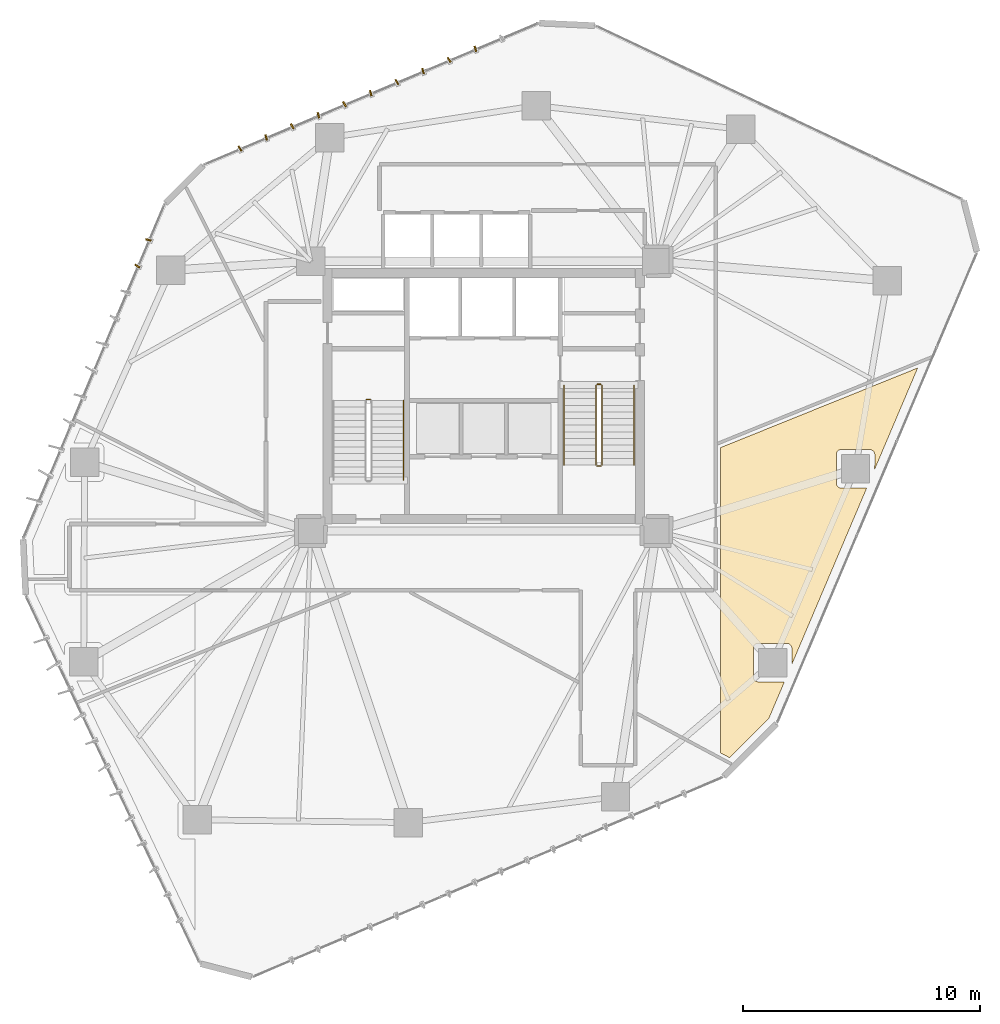
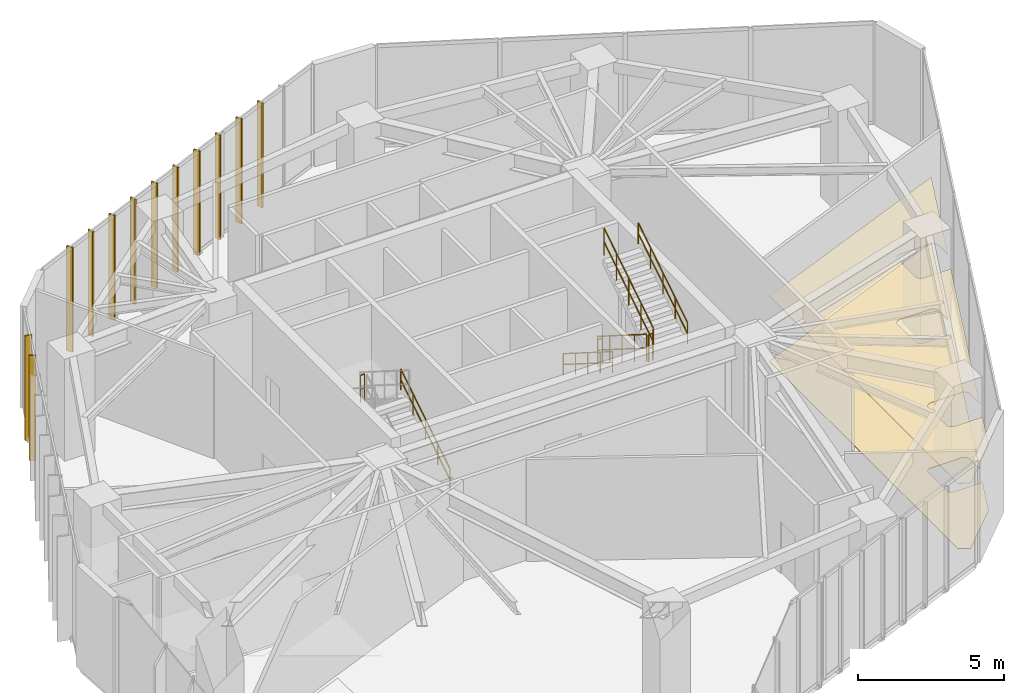
# One storey, part 26 of 28: 12 shading devices, 8 railings, 2 coverings.
"""IFC4 building model written with IfcOpenShell, lengths in metres."""

import ifcopenshell
import ifcopenshell.guid

model = None  # the IFC model being written
_history = None  # IfcOwnerHistory: only IFC2X3 demands one
_inside = {}  # id of a spatial element -> (the spatial element, [elements in it])
_under = {}  # id of a project, library or spatial element -> (it, [spatial elements below it])
_declared = {}  # id of a project -> (the project, [libraries it declares])
_typed = {}  # id of a type object -> (the type object, [elements of that type])
_made_of = {}  # id of a material, layer set ... -> (it, [elements and type objects made of it])


def new_model(schema):
    """Start an empty IFC model of exactly this schema.

    Asked for "IFC4X3", IfcOpenShell would pick the latest addendum, in which some entities
    have other attributes; the version numbers below select the first issue.
    IFC2X3 requires an IfcOwnerHistory on every rooted entity: one is made here for all.
    """
    global model, _history
    if schema == "IFC4X3":
        model = ifcopenshell.file(schema_version=(4, 3, 0, 0))
    else:
        model = ifcopenshell.file(schema=schema)
    _inside.clear()
    _under.clear()
    _declared.clear()
    _typed.clear()
    _made_of.clear()
    _history = None
    if model.schema == "IFC2X3":
        org = make("IfcOrganization", Name="unknown")
        user = make(
            "IfcPersonAndOrganization",
            ThePerson=make("IfcPerson", FamilyName="unknown"),
            TheOrganization=org,
        )
        app = make(
            "IfcApplication",
            ApplicationDeveloper=org,
            Version="unknown",
            ApplicationFullName="unknown",
            ApplicationIdentifier="unknown",
        )
        _history = make(
            "IfcOwnerHistory",
            OwningUser=user,
            OwningApplication=app,
            ChangeAction="ADDED",
            CreationDate=0,
        )
    return model


def make(cls, **values):
    """One entity of the class cls with the attributes given. An attribute that is None is left unset."""
    return model.create_entity(
        cls, **{name: value for name, value in values.items() if value is not None}
    )


def rooted(cls, **values):
    """An entity with a GlobalId (a new one), such as an element, a storey or a relation."""
    return make(cls, GlobalId=ifcopenshell.guid.new(), OwnerHistory=_history, **values)


def si_unit(unit_type, name, prefix=None):
    """IfcSIUnit, for example si_unit("LENGTHUNIT", "METRE", prefix="MILLI")."""
    return make("IfcSIUnit", UnitType=unit_type, Prefix=prefix, Name=name)


def assignment(units):
    """IfcUnitAssignment: the units of a project."""
    return None if units is None else make("IfcUnitAssignment", Units=units)


def point(xyz):
    """IfcCartesianPoint."""
    return None if xyz is None else make("IfcCartesianPoint", Coordinates=xyz)


def direction(xyz):
    """IfcDirection."""
    return None if xyz is None else make("IfcDirection", DirectionRatios=xyz)


def frame(location, z_axis=None, x_axis=None):
    """IfcAxis2Placement3D, a coordinate frame: its origin and axes. An axis left out is left unset."""
    return make(
        "IfcAxis2Placement3D",
        Location=point(location),
        Axis=direction(z_axis),
        RefDirection=direction(x_axis),
    )


def frame_2d(location, x_axis=None):
    """IfcAxis2Placement2D, a coordinate frame in the plane: its origin and x axis."""
    return make(
        "IfcAxis2Placement2D", Location=point(location), RefDirection=direction(x_axis)
    )


def origin():
    """The frame at (0, 0, 0) with its axes left unset."""
    return frame((0.0, 0.0, 0.0))


def origin_2d():
    """The frame at (0, 0) in the plane with its x axis left unset."""
    return frame_2d((0.0, 0.0))


def place(relative_to, where):
    """IfcLocalPlacement: puts the frame where relative to a parent placement (None: the world)."""
    return make(
        "IfcLocalPlacement", PlacementRelTo=relative_to, RelativePlacement=where
    )


def context(
    kind, dimensions, precision=None, world=None, true_north=None, identifier=None
):
    """IfcGeometricRepresentationContext, for example the 3D "Model" context."""
    return make(
        "IfcGeometricRepresentationContext",
        ContextIdentifier=identifier,
        ContextType=kind,
        CoordinateSpaceDimension=dimensions,
        Precision=precision,
        WorldCoordinateSystem=world,
        TrueNorth=true_north,
    )


def subcontext(parent, identifier, kind, view, scale=None):
    """IfcGeometricRepresentationSubContext, for example "Body" below "Model"."""
    return make(
        "IfcGeometricRepresentationSubContext",
        ContextIdentifier=identifier,
        ContextType=kind,
        ParentContext=parent,
        TargetScale=scale,
        TargetView=view,
    )


def project(units=None, contexts=None):
    """IfcProject with its units and contexts."""
    return rooted(
        "IfcProject",
        Name="project",
        RepresentationContexts=contexts,
        UnitsInContext=assignment(units),
    )


def spatial(cls, under=None, at=None, **own):
    """A site, building, storey or space (cls), placed at a placement, below another one or the project."""
    s = rooted(cls, ObjectPlacement=at, **own)
    if under is not None:
        _under.setdefault(under.id(), (under, []))[1].append(s)
    return s


def polyline(points):
    """IfcPolyline through the points."""
    return make("IfcPolyline", Points=[point(p) for p in points])


def profile(cls, at=None, kind="AREA", **sizes):
    """A parametric profile (cls). Its sizes go by their IFC names, for example OverallWidth=200.0."""
    return make(cls, ProfileType=kind, Position=at, **sizes)


def rectangle(**sizes):
    """IfcRectangleProfileDef."""
    return profile("IfcRectangleProfileDef", **sizes)


def circle(**sizes):
    """IfcCircleProfileDef."""
    return profile("IfcCircleProfileDef", **sizes)


def outline(outer, holes=None, kind="AREA"):
    """IfcArbitraryClosedProfileDef: a profile drawn as a closed curve; with holes, ...WithVoids."""
    if holes is None:
        return make("IfcArbitraryClosedProfileDef", ProfileType=kind, OuterCurve=outer)
    return make(
        "IfcArbitraryProfileDefWithVoids",
        ProfileType=kind,
        OuterCurve=outer,
        InnerCurves=holes,
    )


def extrude(swept, where, along, depth):
    """IfcExtrudedAreaSolid: the profile swept, set in the frame where, extruded along a direction by depth."""
    return make(
        "IfcExtrudedAreaSolid",
        SweptArea=swept,
        Position=where,
        ExtrudedDirection=direction(along),
        Depth=depth,
    )


def shape(context_of_items, identifier, shape_type, items):
    """IfcShapeRepresentation: the items that make up one representation, for example the "Body"."""
    return make(
        "IfcShapeRepresentation",
        ContextOfItems=context_of_items,
        RepresentationIdentifier=identifier,
        RepresentationType=shape_type,
        Items=items,
    )


def source(mapping_origin, context_of_items, identifier, shape_type, items):
    """IfcRepresentationMap: a shape defined once, which mapped items show again and again."""
    return make(
        "IfcRepresentationMap",
        MappingOrigin=mapping_origin,
        MappedRepresentation=shape(context_of_items, identifier, shape_type, items),
    )


def transform(
    local_origin,
    x_axis=None,
    y_axis=None,
    z_axis=None,
    scale=None,
    scale2=None,
    scale3=None,
    uniform=True,
):
    """IfcCartesianTransformationOperator3D, or its non-uniform kind. x_axis, y_axis, z_axis: its Axis1, 2, 3."""
    if uniform:
        return make(
            "IfcCartesianTransformationOperator3D",
            Axis1=direction(x_axis),
            Axis2=direction(y_axis),
            LocalOrigin=point(local_origin),
            Scale=scale,
            Axis3=direction(z_axis),
        )
    return make(
        "IfcCartesianTransformationOperator3DnonUniform",
        Axis1=direction(x_axis),
        Axis2=direction(y_axis),
        LocalOrigin=point(local_origin),
        Scale=scale,
        Axis3=direction(z_axis),
        Scale2=scale2,
        Scale3=scale3,
    )


def mapped(mapping_source, mapping_target):
    """IfcMappedItem: shows the shape of a source again, moved by a transform."""
    return make(
        "IfcMappedItem", MappingSource=mapping_source, MappingTarget=mapping_target
    )


def material(Name=None, Category=None):
    """IfcMaterial."""
    return make("IfcMaterial", Name=Name, Category=Category)


def layer(
    of_material, thickness, ventilated=None, Name=None, Category=None, Priority=None
):
    """IfcMaterialLayer: one layer of a wall or slab, of a material (None: an air gap)."""
    return make(
        "IfcMaterialLayer",
        Material=of_material,
        LayerThickness=thickness,
        IsVentilated=ventilated,
        Name=Name,
        Category=Category,
        Priority=Priority,
    )


def layer_set(layers, Name=None):
    """IfcMaterialLayerSet."""
    return make("IfcMaterialLayerSet", MaterialLayers=layers, LayerSetName=Name)


def made_of(thing, what):
    """Note that an element or type object is made of a material, layer set ...; save() writes the relation."""
    if what is not None:
        _made_of.setdefault(what.id(), (what, []))[1].append(thing)
    return thing


def type_object(cls, material=None, **own):
    """A type object (cls), such as IfcWallType, which elements share."""
    return made_of(rooted(cls, **own), material)


def type_shapes(of_type, sources):
    """Give a type object the sources (RepresentationMaps) that its elements show as mapped items."""
    of_type.RepresentationMaps = sources


def element(
    cls,
    number,
    at=None,
    inside=None,
    cuts=None,
    type_object=None,
    material=None,
    context=None,
    identifier="Body",
    shape_type=None,
    held_by="IfcProductDefinitionShape",
    body=None,
    shapes=None,
    **own,
):
    """One element of the class cls, such as IfcWall. Its Tag is "e" and its number.

    at: its placement. inside: the storey or other place that contains it. cuts: it is an
    opening in that element (IfcRelVoidsElement). A single representation is given by context,
    identifier, shape_type and body (its items); several are given by shapes. held_by: the class
    of the entity that holds the representations. save() writes the other relations.
    """
    e = rooted(cls, Tag="e%d" % number, ObjectPlacement=at, **own)
    if body is not None:
        shapes = [shape(context, identifier, shape_type, body)]
    if shapes is not None:
        e.Representation = make(held_by, Representations=shapes)
    if inside is not None:
        _inside.setdefault(inside.id(), (inside, []))[1].append(e)
    if cuts is not None:
        rooted(
            "IfcRelVoidsElement", RelatingBuildingElement=cuts, RelatedOpeningElement=e
        )
    if type_object is not None:
        _typed.setdefault(type_object.id(), (type_object, []))[1].append(e)
    return made_of(e, material)


def aggregate(whole, parts):
    """IfcRelAggregates: a whole, such as a stair, and the parts it consists of."""
    return rooted("IfcRelAggregates", RelatingObject=whole, RelatedObjects=parts)


def save(model, path):
    """Write the relations noted so far, then the file.

    IfcRelAggregates (storeys below a building ...), IfcRelContainedInSpatialStructure (elements
    in a storey), IfcRelDefinesByType, IfcRelAssociatesMaterial and IfcRelDeclares: one each for
    every whole, place, type object, material and project.
    """
    for whole, parts in _under.values():
        aggregate(whole, parts)
    for where, things in _inside.values():
        rooted(
            "IfcRelContainedInSpatialStructure",
            RelatedElements=things,
            RelatingStructure=where,
        )
    for kind, things in _typed.values():
        rooted("IfcRelDefinesByType", RelatedObjects=things, RelatingType=kind)
    for what, things in _made_of.values():
        rooted("IfcRelAssociatesMaterial", RelatedObjects=things, RelatingMaterial=what)
    for by, libraries in _declared.values():
        rooted("IfcRelDeclares", RelatingContext=by, RelatedDefinitions=libraries)
    model.write(path)


model = new_model("IFC4")

# Units and contexts
model_context = context("Model", 3, precision=1e-05, world=origin(), true_north=direction((0.0, 1.0)))
body_context = subcontext(model_context, "Body", "Model", "MODEL_VIEW")
ifc_project = project(units=[si_unit("LENGTHUNIT", "METRE"), si_unit("AREAUNIT", "SQUARE_METRE"), si_unit("VOLUMEUNIT", "CUBIC_METRE"), si_unit("PLANEANGLEUNIT", "RADIAN"), si_unit("MASSUNIT", "GRAM", prefix="KILO")], contexts=[model_context])

# Site, building, storey
site_placement = place(None, origin())
site = spatial("IfcSite", under=ifc_project, at=site_placement, CompositionType="ELEMENT")
building_placement = place(site_placement, origin())
building = spatial("IfcBuilding", under=site, at=building_placement, Name="Talar Marvaseh", CompositionType="ELEMENT")
storey_placement = place(building_placement, frame((0.0, 0.0, 157.800048828125)))
storey = spatial("IfcBuildingStorey", under=building, at=storey_placement, Name="L41", CompositionType="ELEMENT", Elevation=157.800048828125)

# Railings
ifc_material_1 = material(Name="Stainless Steel Grade 316", Category="steel")
railing_type_1 = type_object("IfcRailingType", Name="Brushed Stainless Wall Pitch Handrail 900", PredefinedType="HANDRAIL", material=ifc_material_1)
railing_1_placement = place(storey_placement, frame((22.610107421875, 27.64990234375, 0.1767578125)))
element("IfcRailing", 1, at=railing_1_placement, inside=storey, type_object=railing_type_1, Name="L41 ST-1 stair handrail 1", PredefinedType="HANDRAIL", context=body_context, shape_type="SweptSolid", body=[
    extrude(circle(Radius=0.02392578125, at=origin_2d()), frame((0.0, 0.0, 0.8759765625), z_axis=(0.0, 0.845361898145, 0.534194029511), x_axis=(-1.0, 0.0, 0.0)), (0.0, 0.0, 1.0), 3.974853515625),
    extrude(circle(Radius=0.02392578125, at=origin_2d()), frame((0.0, 0.0, 0.42578125), z_axis=(0.0, 0.845361898145, 0.534194029511), x_axis=(-1.0, 0.0, 0.0)), (0.0, 0.0, 1.0), 3.974853515625),
    extrude(circle(Radius=0.02099609375, at=origin_2d()), origin(), (0.0, 0.0, 1.0), 0.851806640625),
    extrude(circle(Radius=0.02099609375, at=origin_2d()), frame((0.0, 0.840087890625, 0.53076171875)), (0.0, 0.0, 1.0), 0.851806640625),
    extrude(circle(Radius=0.02099609375, at=origin_2d()), frame((0.0, 1.68017578125, 1.0615234375)), (0.0, 0.0, 1.0), 0.851806640625),
    extrude(circle(Radius=0.02099609375, at=origin_2d()), frame((0.0, 2.52001953125, 1.592529296875)), (0.0, 0.0, 1.0), 0.851806640625),
    extrude(circle(Radius=0.02099609375, at=origin_2d()), frame((0.0, 3.360107421875, 2.123291015625)), (0.0, 0.0, 1.0), 0.851806640625),
])
railing_2_placement = place(storey_placement, frame((29.389892578125, 31.64990234375, 0.1767578125)))
element("IfcRailing", 2, at=railing_2_placement, inside=storey, type_object=railing_type_1, Name="L41 ST-2 stair handrail 1", PredefinedType="HANDRAIL", context=body_context, shape_type="SweptSolid", body=[
    extrude(circle(Radius=0.02392578125, at=origin_2d()), frame((0.0, 0.0, 0.8759765625), z_axis=(0.0, -0.845344368971, 0.534221768416), x_axis=(1.0, 0.0, 0.0)), (0.0, 0.0, 1.0), 3.974609375),
    extrude(circle(Radius=0.02392578125, at=origin_2d()), frame((0.0, 0.0, 0.42578125), z_axis=(0.0, -0.845344368971, 0.534221768416), x_axis=(1.0, 0.0, 0.0)), (0.0, 0.0, 1.0), 3.974609375),
    extrude(circle(Radius=0.02099609375, at=origin_2d()), origin(), (0.0, 0.0, 1.0), 0.851806640625),
    extrude(circle(Radius=0.02099609375, at=origin_2d()), frame((0.0, -0.83984375, 0.53076171875)), (0.0, 0.0, 1.0), 0.851806640625),
    extrude(circle(Radius=0.02099609375, at=origin_2d()), frame((0.0, -1.679931640625, 1.0615234375)), (0.0, 0.0, 1.0), 0.851806640625),
    extrude(circle(Radius=0.02099609375, at=origin_2d()), frame((0.0, -2.52001953125, 1.592529296875)), (0.0, 0.0, 1.0), 0.851806640625),
    extrude(circle(Radius=0.02099609375, at=origin_2d()), frame((0.0, -3.35986328125, 2.123291015625)), (0.0, 0.0, 1.0), 0.851806640625),
])
railing_3_placement = place(storey_placement, frame((32.35009765625, 28.2900390625, 2.476806640625)))
element("IfcRailing", 3, at=railing_3_placement, inside=storey, type_object=railing_type_1, Name="L41 ST-2 stair handrail 2", PredefinedType="HANDRAIL", context=body_context, shape_type="SweptSolid", body=[
    extrude(circle(Radius=0.02392578125, at=origin_2d()), frame((0.0, 0.0, 0.8759765625), z_axis=(0.0, 0.845372108799, 0.534177870812), x_axis=(-1.0, 0.0, 0.0)), (0.0, 0.0, 1.0), 3.974365234375),
    extrude(circle(Radius=0.02392578125, at=origin_2d()), frame((0.0, 0.0, 0.42578125), z_axis=(0.0, 0.845372108799, 0.534177870812), x_axis=(-1.0, 0.0, 0.0)), (0.0, 0.0, 1.0), 3.974365234375),
    extrude(circle(Radius=0.02099609375, at=origin_2d()), origin(), (0.0, 0.0, 1.0), 0.851806640625),
    extrude(circle(Radius=0.02099609375, at=origin_2d()), frame((0.0, 0.83984375, 0.53076171875)), (0.0, 0.0, 1.0), 0.851806640625),
    extrude(circle(Radius=0.02099609375, at=origin_2d()), frame((0.0, 1.679931640625, 1.0615234375)), (0.0, 0.0, 1.0), 0.851806640625),
    extrude(circle(Radius=0.02099609375, at=origin_2d()), frame((0.0, 2.52001953125, 1.59228515625)), (0.0, 0.0, 1.0), 0.851806640625),
    extrude(circle(Radius=0.02099609375, at=origin_2d()), frame((0.0, 3.35986328125, 2.123046875)), (0.0, 0.0, 1.0), 0.851806640625),
])
railing_type_2 = type_object("IfcRailingType", Name="Painted Steel Core Stair Well Guardrail 1150", PredefinedType="GUARDRAIL", material=ifc_material_1)
railing_4_placement = place(storey_placement, frame((21.2099609375, 31.06005859375, 2.300048828125)))
element("IfcRailing", 4, at=railing_4_placement, inside=storey, type_object=railing_type_2, Name="L41 ST-1 stair guard 2", PredefinedType="GUARDRAIL", context=body_context, shape_type="SweptSolid", body=[
    extrude(circle(Radius=0.02392578125, at=origin_2d()), frame((0.0, 0.0, 1.1259765625), z_axis=(-1.0, 0.0, 0.0), x_axis=(0.0, -1.0, 0.0)), (0.0, 0.0, 1.0), 0.159912109375),
    extrude(circle(Radius=0.02392578125, at=origin_2d()), frame((0.0, 0.0, 0.55078125), z_axis=(-1.0, 0.0, 0.0), x_axis=(0.0, -1.0, 0.0)), (0.0, 0.0, 1.0), 0.159912109375),
    extrude(circle(Radius=0.02099609375, at=origin_2d()), origin(), (0.0, 0.0, 1.0), 1.101806640625),
    extrude(circle(Radius=0.02099609375, at=origin_2d()), frame((-0.159912109375, 0.0, 0.0)), (0.0, 0.0, 1.0), 1.101806640625),
])
railing_5_placement = place(storey_placement, frame((30.739990234375, 31.64990234375, 0.1767578125)))
element("IfcRailing", 5, at=railing_5_placement, inside=storey, type_object=railing_type_2, Name="L41 ST-2 stair guard 1", PredefinedType="GUARDRAIL", context=body_context, shape_type="SweptSolid", body=[
    extrude(circle(Radius=0.02392578125, at=origin_2d()), frame((0.0, 0.0, 1.1259765625), z_axis=(0.0, -0.845344368971, 0.534221768416), x_axis=(1.0, 0.0, 0.0)), (0.0, 0.0, 1.0), 3.974609375),
    extrude(circle(Radius=0.02392578125, at=origin_2d()), frame((0.0, 0.0, 0.55078125), z_axis=(0.0, -0.845344368971, 0.534221768416), x_axis=(1.0, 0.0, 0.0)), (0.0, 0.0, 1.0), 3.974609375),
    extrude(circle(Radius=0.02099609375, at=origin_2d()), origin(), (0.0, 0.0, 1.0), 1.101806640625),
    extrude(circle(Radius=0.02099609375, at=origin_2d()), frame((0.0, -0.83984375, 0.53076171875)), (0.0, 0.0, 1.0), 1.101806640625),
    extrude(circle(Radius=0.02099609375, at=origin_2d()), frame((0.0, -1.679931640625, 1.0615234375)), (0.0, 0.0, 1.0), 1.101806640625),
    extrude(circle(Radius=0.02099609375, at=origin_2d()), frame((0.0, -2.52001953125, 1.592529296875)), (0.0, 0.0, 1.0), 1.101806640625),
    extrude(circle(Radius=0.02099609375, at=origin_2d()), frame((0.0, -3.35986328125, 2.123291015625)), (0.0, 0.0, 1.0), 1.101806640625),
])
railing_6_placement = place(storey_placement, frame((30.7900390625, 28.239990234375, 2.300048828125)))
element("IfcRailing", 6, at=railing_6_placement, inside=storey, type_object=railing_type_2, Name="L41 ST-2 stair guard 2", PredefinedType="GUARDRAIL", context=body_context, shape_type="SweptSolid", body=[
    extrude(circle(Radius=0.02392578125, at=origin_2d()), frame((0.0, 0.0, 1.1259765625), z_axis=(1.0, 0.0, 0.0), x_axis=(0.0, 1.0, 0.0)), (0.0, 0.0, 1.0), 0.159912109375),
    extrude(circle(Radius=0.02392578125, at=origin_2d()), frame((0.0, 0.0, 0.55078125), z_axis=(1.0, 0.0, 0.0), x_axis=(0.0, 1.0, 0.0)), (0.0, 0.0, 1.0), 0.159912109375),
    extrude(circle(Radius=0.02099609375, at=origin_2d()), origin(), (0.0, 0.0, 1.0), 1.101806640625),
    extrude(circle(Radius=0.02099609375, at=origin_2d()), frame((0.159912109375, 0.0, 0.0)), (0.0, 0.0, 1.0), 1.101806640625),
])
railing_7_placement = place(storey_placement, frame((31.0, 28.2900390625, 2.476806640625)))
element("IfcRailing", 7, at=railing_7_placement, inside=storey, type_object=railing_type_2, Name="L41 ST-2 stair guard 3", PredefinedType="GUARDRAIL", context=body_context, shape_type="SweptSolid", body=[
    extrude(circle(Radius=0.02392578125, at=origin_2d()), frame((0.0, 0.0, 1.1259765625), z_axis=(0.0, 0.845372108799, 0.534177870812), x_axis=(-1.0, 0.0, 0.0)), (0.0, 0.0, 1.0), 3.974365234375),
    extrude(circle(Radius=0.02392578125, at=origin_2d()), frame((0.0, 0.0, 0.55078125), z_axis=(0.0, 0.845372108799, 0.534177870812), x_axis=(-1.0, 0.0, 0.0)), (0.0, 0.0, 1.0), 3.974365234375),
    extrude(circle(Radius=0.02099609375, at=origin_2d()), origin(), (0.0, 0.0, 1.0), 1.101806640625),
    extrude(circle(Radius=0.02099609375, at=origin_2d()), frame((0.0, 0.83984375, 0.53076171875)), (0.0, 0.0, 1.0), 1.101806640625),
    extrude(circle(Radius=0.02099609375, at=origin_2d()), frame((0.0, 1.679931640625, 1.0615234375)), (0.0, 0.0, 1.0), 1.101806640625),
    extrude(circle(Radius=0.02099609375, at=origin_2d()), frame((0.0, 2.52001953125, 1.59228515625)), (0.0, 0.0, 1.0), 1.101806640625),
    extrude(circle(Radius=0.02099609375, at=origin_2d()), frame((0.0, 3.35986328125, 2.123046875)), (0.0, 0.0, 1.0), 1.101806640625),
])
railing_8_placement = place(storey_placement, frame((30.7900390625, 31.699951171875, 0.0)))
element("IfcRailing", 8, at=railing_8_placement, inside=storey, type_object=railing_type_2, Name="L41 ST-2 stair guard 4", PredefinedType="GUARDRAIL", context=body_context, shape_type="SweptSolid", body=[
    extrude(circle(Radius=0.02392578125, at=origin_2d()), frame((0.0, 0.0, 1.1259765625), z_axis=(1.0, 0.0, 0.0), x_axis=(0.0, 1.0, 0.0)), (0.0, 0.0, 1.0), 0.159912109375),
    extrude(circle(Radius=0.02392578125, at=origin_2d()), frame((0.0, 0.0, 0.55078125), z_axis=(1.0, 0.0, 0.0), x_axis=(0.0, 1.0, 0.0)), (0.0, 0.0, 1.0), 0.159912109375),
    extrude(circle(Radius=0.02099609375, at=origin_2d()), origin(), (0.0, 0.0, 1.0), 1.101806640625),
    extrude(circle(Radius=0.02099609375, at=origin_2d()), frame((0.159912109375, 0.0, 0.0)), (0.0, 0.0, 1.0), 1.101806640625),
])

# Coverings
ifc_material_2 = material(Name="Mineral Fibre Acoustic Ceiling")
ifc_layer_1 = layer(ifc_material_2, 0.02490234375)
ifc_layer_set_1 = layer_set([ifc_layer_1], Name="Mineral Fibre Acoustic Ceiling")
covering_type_1 = type_object("IfcCoveringType", Name="Perforated Mineral Fibre Acoustic Suspended Ceiling", PredefinedType="CEILING", material=ifc_layer_set_1)
covering_1_placement = place(storey_placement, frame((0.0, 0.0, 2.719970703125)))
element("IfcCovering", 9, at=covering_1_placement, inside=storey, type_object=covering_type_1, Name="L41 Visitor Orientation Foyer Acoustic Ceiling", PredefinedType="CEILING", context=body_context, shape_type="SweptSolid", body=[
    extrude(outline(polyline([(36.0, 23.0), (36.0, 29.021484375), (44.336669921875, 32.3896484375), (42.521728515625, 28.11572265625), (42.52392578125, 28.728759765625), (42.523193359375, 28.747314453125), (42.5205078125, 28.765869140625), (42.516357421875, 28.783935546875), (42.510498046875, 28.801513671875), (42.5029296875, 28.818603515625), (42.493896484375, 28.8349609375), (42.4833984375, 28.850341796875), (42.471435546875, 28.864501953125), (42.458251953125, 28.877685546875), (42.443359375, 28.89111328125), (42.428955078125, 28.903076171875), (42.413818359375, 28.913330078125), (42.397705078125, 28.92236328125), (42.380615234375, 28.9296875), (42.363037109375, 28.935546875), (42.34521484375, 28.939697265625), (42.32666015625, 28.942138671875), (42.308349609375, 28.943115234375), (41.09765625, 28.938720703125), (41.078125, 28.9375), (41.058837890625, 28.9345703125), (41.039794921875, 28.9296875), (41.021484375, 28.923095703125), (41.003662109375, 28.914794921875), (40.98681640625, 28.904541015625), (40.97119140625, 28.892822265625), (40.956787109375, 28.8798828125), (40.943603515625, 28.865234375), (40.931884765625, 28.849609375), (40.921875, 28.832763671875), (40.91357421875, 28.81494140625), (40.906982421875, 28.79638671875), (40.902099609375, 28.777587890625), (40.8994140625, 28.75830078125), (40.8984375, 28.738525390625), (40.8984375, 27.517333984375), (40.8994140625, 27.497802734375), (40.902099609375, 27.478515625), (40.906982421875, 27.459228515625), (40.91357421875, 27.44091796875), (40.922119140625, 27.423095703125), (40.93212890625, 27.40625), (40.94384765625, 27.390380859375), (40.95703125, 27.3759765625), (40.971435546875, 27.36279296875), (40.9873046875, 27.35107421875), (41.004150390625, 27.341064453125), (41.02197265625, 27.33251953125), (41.040283203125, 27.325927734375), (41.059326171875, 27.3212890625), (41.078857421875, 27.318359375), (41.098388671875, 27.3173828125), (42.1826171875, 27.3173828125), (39.0185546875, 19.8662109375), (39.02099609375, 20.541748046875), (39.02001953125, 20.560302734375), (39.017578125, 20.578857421875), (39.01318359375, 20.596923828125), (39.00732421875, 20.614501953125), (39.0, 20.631591796875), (38.990966796875, 20.64794921875), (38.980224609375, 20.663330078125), (38.968505859375, 20.677490234375), (38.955078125, 20.690673828125), (38.940185546875, 20.7041015625), (38.926025390625, 20.716064453125), (38.91064453125, 20.726318359375), (38.89453125, 20.7353515625), (38.877685546875, 20.74267578125), (38.860107421875, 20.74853515625), (38.842041015625, 20.752685546875), (38.82373046875, 20.755126953125), (38.805419921875, 20.756103515625), (37.5947265625, 20.751708984375), (37.5751953125, 20.75048828125), (37.555908203125, 20.74755859375), (37.536865234375, 20.742919921875), (37.518310546875, 20.736083984375), (37.500732421875, 20.727783203125), (37.48388671875, 20.717529296875), (37.46826171875, 20.705810546875), (37.45361328125, 20.69287109375), (37.440673828125, 20.67822265625), (37.428955078125, 20.66259765625), (37.4189453125, 20.645751953125), (37.41064453125, 20.6279296875), (37.404052734375, 20.609619140625), (37.399169921875, 20.590576171875), (37.396484375, 20.5712890625), (37.3955078125, 20.551513671875), (37.3955078125, 19.330322265625), (37.396484375, 19.310791015625), (37.399169921875, 19.29150390625), (37.404052734375, 19.272216796875), (37.41064453125, 19.25390625), (37.4189453125, 19.236083984375), (37.42919921875, 19.21923828125), (37.44091796875, 19.20361328125), (37.4541015625, 19.18896484375), (37.468505859375, 19.17578125), (37.484375, 19.1640625), (37.501220703125, 19.154052734375), (37.518798828125, 19.1455078125), (37.537353515625, 19.138916015625), (37.556396484375, 19.13427734375), (37.57568359375, 19.13134765625), (37.595458984375, 19.13037109375), (38.7060546875, 19.13037109375), (38.050537109375, 17.5869140625), (36.386962890625, 15.92333984375), (36.0, 16.130615234375), (36.0, 23.0)])), origin(), (0.0, 0.0, 1.0), 0.02490234375),
])
ifc_material_3 = material(Name="Porcelain Stoneware Tile", Category="masonry")
ifc_layer_2 = layer(ifc_material_3, 0.02001953125)
ifc_layer_set_2 = layer_set([ifc_layer_2], Name="Porcelain Stoneware Tile")
covering_type_2 = type_object("IfcCoveringType", Name="Polished Porcelain Stoneware Gallery Flooring", PredefinedType="FLOORING", material=ifc_layer_set_2)
covering_2_placement = place(storey_placement, origin())
element("IfcCovering", 10, at=covering_2_placement, inside=storey, type_object=covering_type_2, Name="L41 Visitor Orientation Foyer Flooring", PredefinedType="FLOORING", context=body_context, shape_type="SweptSolid", body=[
    extrude(outline(polyline([(36.0, 23.0), (36.0, 29.021484375), (44.336669921875, 32.3896484375), (42.521728515625, 28.11572265625), (42.52392578125, 28.728759765625), (42.523193359375, 28.747314453125), (42.5205078125, 28.765869140625), (42.516357421875, 28.783935546875), (42.510498046875, 28.801513671875), (42.5029296875, 28.818603515625), (42.493896484375, 28.8349609375), (42.4833984375, 28.850341796875), (42.471435546875, 28.864501953125), (42.458251953125, 28.877685546875), (42.443359375, 28.89111328125), (42.428955078125, 28.903076171875), (42.413818359375, 28.913330078125), (42.397705078125, 28.92236328125), (42.380615234375, 28.9296875), (42.363037109375, 28.935546875), (42.34521484375, 28.939697265625), (42.32666015625, 28.942138671875), (42.308349609375, 28.943115234375), (41.09765625, 28.938720703125), (41.078125, 28.9375), (41.058837890625, 28.9345703125), (41.039794921875, 28.9296875), (41.021484375, 28.923095703125), (41.003662109375, 28.914794921875), (40.98681640625, 28.904541015625), (40.97119140625, 28.892822265625), (40.956787109375, 28.8798828125), (40.943603515625, 28.865234375), (40.931884765625, 28.849609375), (40.921875, 28.832763671875), (40.91357421875, 28.81494140625), (40.906982421875, 28.79638671875), (40.902099609375, 28.777587890625), (40.8994140625, 28.75830078125), (40.8984375, 28.738525390625), (40.8984375, 27.517333984375), (40.8994140625, 27.497802734375), (40.902099609375, 27.478515625), (40.906982421875, 27.459228515625), (40.91357421875, 27.44091796875), (40.922119140625, 27.423095703125), (40.93212890625, 27.40625), (40.94384765625, 27.390380859375), (40.95703125, 27.3759765625), (40.971435546875, 27.36279296875), (40.9873046875, 27.35107421875), (41.004150390625, 27.341064453125), (41.02197265625, 27.33251953125), (41.040283203125, 27.325927734375), (41.059326171875, 27.3212890625), (41.078857421875, 27.318359375), (41.098388671875, 27.3173828125), (42.1826171875, 27.3173828125), (39.0185546875, 19.8662109375), (39.02099609375, 20.541748046875), (39.02001953125, 20.560302734375), (39.017578125, 20.578857421875), (39.01318359375, 20.596923828125), (39.00732421875, 20.614501953125), (39.0, 20.631591796875), (38.990966796875, 20.64794921875), (38.980224609375, 20.663330078125), (38.968505859375, 20.677490234375), (38.955078125, 20.690673828125), (38.940185546875, 20.7041015625), (38.926025390625, 20.716064453125), (38.91064453125, 20.726318359375), (38.89453125, 20.7353515625), (38.877685546875, 20.74267578125), (38.860107421875, 20.74853515625), (38.842041015625, 20.752685546875), (38.82373046875, 20.755126953125), (38.805419921875, 20.756103515625), (37.5947265625, 20.751708984375), (37.5751953125, 20.75048828125), (37.555908203125, 20.74755859375), (37.536865234375, 20.742919921875), (37.518310546875, 20.736083984375), (37.500732421875, 20.727783203125), (37.48388671875, 20.717529296875), (37.46826171875, 20.705810546875), (37.45361328125, 20.69287109375), (37.440673828125, 20.67822265625), (37.428955078125, 20.66259765625), (37.4189453125, 20.645751953125), (37.41064453125, 20.6279296875), (37.404052734375, 20.609619140625), (37.399169921875, 20.590576171875), (37.396484375, 20.5712890625), (37.3955078125, 20.551513671875), (37.3955078125, 19.330322265625), (37.396484375, 19.310791015625), (37.399169921875, 19.29150390625), (37.404052734375, 19.272216796875), (37.41064453125, 19.25390625), (37.4189453125, 19.236083984375), (37.42919921875, 19.21923828125), (37.44091796875, 19.20361328125), (37.4541015625, 19.18896484375), (37.468505859375, 19.17578125), (37.484375, 19.1640625), (37.501220703125, 19.154052734375), (37.518798828125, 19.1455078125), (37.537353515625, 19.138916015625), (37.556396484375, 19.13427734375), (37.57568359375, 19.13134765625), (37.595458984375, 19.13037109375), (38.7060546875, 19.13037109375), (38.050537109375, 17.5869140625), (36.386962890625, 15.92333984375), (36.0, 16.130615234375), (36.0, 23.0)])), origin(), (0.0, 0.0, 1.0), 0.02001953125),
])

# Shading devices
ifc_material_4 = material(Name="Anodised Champagne Bronze Aluminium", Category="aluminium")
ifc_layer_3 = layer(ifc_material_4, 0.06494140625)
ifc_layer_set_3 = layer_set([ifc_layer_3], Name="Anodised Champagne Bronze Aluminium")
shading_device_type = type_object("IfcShadingDeviceType", Name="Sawtooth Champagne Bronze Vertical Fin 240", PredefinedType="USERDEFINED", material=ifc_layer_set_3)
shared_shape = source(origin(), body_context, "Body", "SweptSolid", [
    extrude(rectangle(XDim=0.239990234375, YDim=0.06494140625, at=origin_2d()), origin(), (0.0, 0.0, 1.0), 4.3701171875),
])
type_shapes(shading_device_type, [shared_shape])
for number, where, z_axis, x_axis, name in (
    (11, (11.36865234375, 36.69384765625, -0.1201171875), (0.0, 0.0, 1.0), (-0.857795898543, 0.513990463377, 0.0), "L41 Sawtooth Vertical Solar Fin"),
    (12, (11.836181640625, 37.798828125, -0.1201171875), (0.0, 0.0, 1.0), (-0.966241312443, 0.257638751216, 0.0), "L41 Sawtooth Vertical Solar Fin"),
    (13, (15.701171875, 41.663818359375, -0.1201171875), (0.0, 0.0, 1.0), (-0.513990463377, 0.857795898543, 0.0), "L41 Sawtooth Vertical Solar Fin"),
    (14, (16.80615234375, 42.13134765625, -0.1201171875), (0.0, 0.0, 1.0), (-0.257638751216, 0.966241312443, 0.0), "L41 Sawtooth Vertical Solar Fin"),
    (15, (17.911376953125, 42.598876953125, -0.1201171875), (0.0, 0.0, 1.0), (-0.513990463377, 0.857795898543, 0.0), "L41 Sawtooth Vertical Solar Fin"),
    (16, (19.0166015625, 43.06640625, -0.1201171875), (0.0, 0.0, 1.0), (-0.257638751216, 0.966241312443, 0.0), "L41 Sawtooth Vertical Solar Fin"),
    (17, (20.12158203125, 43.533935546875, -0.1201171875), (0.0, 0.0, 1.0), (-0.513990463377, 0.857795898543, 0.0), "L41 Sawtooth Vertical Solar Fin"),
    (18, (21.226806640625, 44.001708984375, -0.1201171875), (0.0, 0.0, 1.0), (-0.257638751216, 0.966241312443, 0.0), "L41 Sawtooth Vertical Solar Fin"),
    (19, (22.33203125, 44.46923828125, -0.1201171875), (0.0, 0.0, 1.0), (-0.513990463377, 0.857795898543, 0.0), "L41 Sawtooth Vertical Solar Fin"),
    (20, (23.437255859375, 44.936767578125, -0.1201171875), (0.0, 0.0, 1.0), (-0.257638751216, 0.966241312443, 0.0), "L41 Sawtooth Vertical Solar Fin"),
    (21, (24.54248046875, 45.404296875, -0.1201171875), (0.0, 0.0, 1.0), (-0.513990463377, 0.857795898543, 0.0), "L41 Sawtooth Vertical Solar Fin"),
    (22, (25.6474609375, 45.871826171875, -0.1201171875), (0.0, 0.0, 1.0), (-0.257638751216, 0.966241312443, 0.0), "L41 Sawtooth Vertical Solar Fin"),
):
    element("IfcShadingDevice", number, at=place(storey_placement, frame(where, z_axis=z_axis, x_axis=x_axis)), inside=storey, type_object=shading_device_type, Name=name, ObjectType="FIN", PredefinedType="USERDEFINED", context=body_context, shape_type="MappedRepresentation", body=[
        mapped(shared_shape, transform((0.0, 0.0, 0.0), x_axis=(1.0, 0.0, 0.0), y_axis=(0.0, 1.0, 0.0), z_axis=(0.0, 0.0, 1.0), scale=1.0)),
    ])

save(model, "model.ifc")
